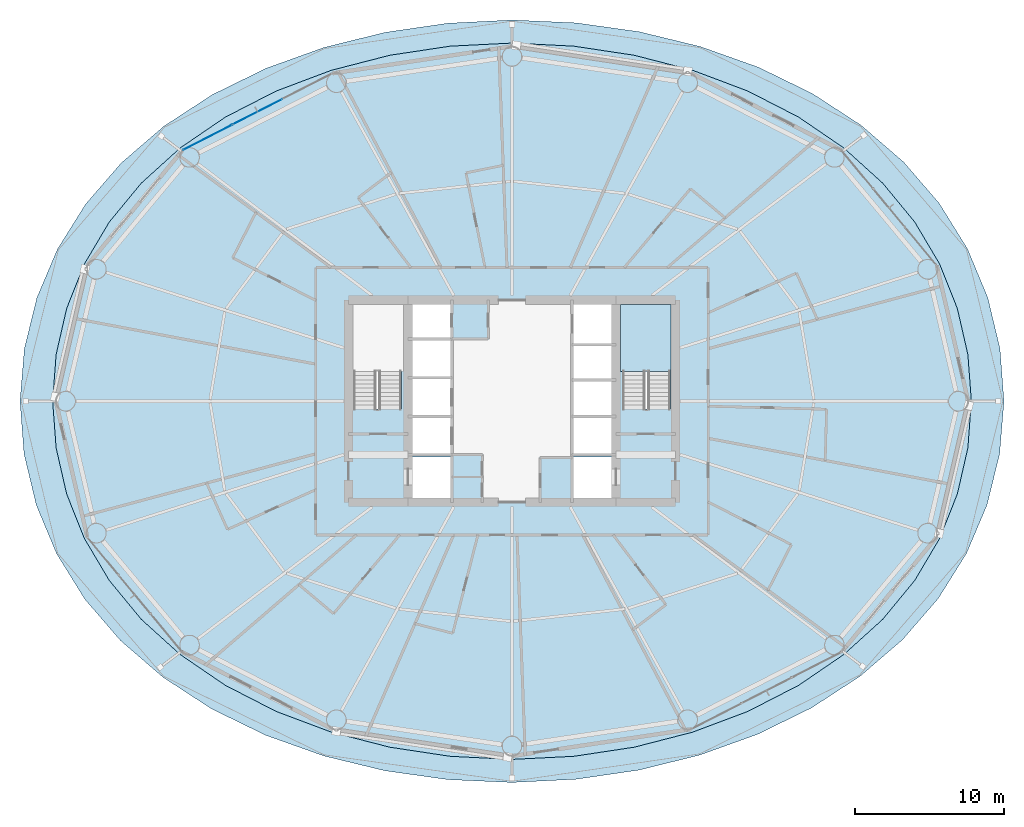
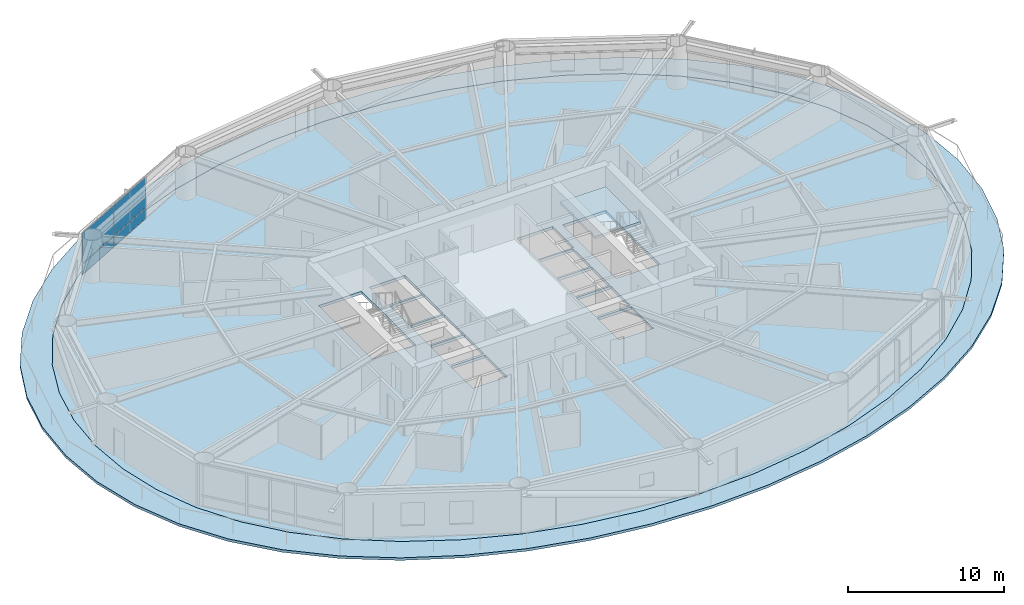
# One storey, part 17 of 26: 4 plates, 3 slabs, 2 elements without a shape of their own.
"""IFC4 building model written with IfcOpenShell, lengths in metres."""

import ifcopenshell
import ifcopenshell.guid

model = None  # the IFC model being written
_history = None  # IfcOwnerHistory: only IFC2X3 demands one
_inside = {}  # id of a spatial element -> (the spatial element, [elements in it])
_under = {}  # id of a project, library or spatial element -> (it, [spatial elements below it])
_declared = {}  # id of a project -> (the project, [libraries it declares])
_typed = {}  # id of a type object -> (the type object, [elements of that type])
_made_of = {}  # id of a material, layer set ... -> (it, [elements and type objects made of it])


def new_model(schema):
    """Start an empty IFC model of exactly this schema.

    Asked for "IFC4X3", IfcOpenShell would pick the latest addendum, in which some entities
    have other attributes; the version numbers below select the first issue.
    IFC2X3 requires an IfcOwnerHistory on every rooted entity: one is made here for all.
    """
    global model, _history
    if schema == "IFC4X3":
        model = ifcopenshell.file(schema_version=(4, 3, 0, 0))
    else:
        model = ifcopenshell.file(schema=schema)
    _inside.clear()
    _under.clear()
    _declared.clear()
    _typed.clear()
    _made_of.clear()
    _history = None
    if model.schema == "IFC2X3":
        org = make("IfcOrganization", Name="unknown")
        user = make(
            "IfcPersonAndOrganization",
            ThePerson=make("IfcPerson", FamilyName="unknown"),
            TheOrganization=org,
        )
        app = make(
            "IfcApplication",
            ApplicationDeveloper=org,
            Version="unknown",
            ApplicationFullName="unknown",
            ApplicationIdentifier="unknown",
        )
        _history = make(
            "IfcOwnerHistory",
            OwningUser=user,
            OwningApplication=app,
            ChangeAction="ADDED",
            CreationDate=0,
        )
    return model


def make(cls, **values):
    """One entity of the class cls with the attributes given. An attribute that is None is left unset."""
    return model.create_entity(
        cls, **{name: value for name, value in values.items() if value is not None}
    )


def rooted(cls, **values):
    """An entity with a GlobalId (a new one), such as an element, a storey or a relation."""
    return make(cls, GlobalId=ifcopenshell.guid.new(), OwnerHistory=_history, **values)


def si_unit(unit_type, name, prefix=None):
    """IfcSIUnit, for example si_unit("LENGTHUNIT", "METRE", prefix="MILLI")."""
    return make("IfcSIUnit", UnitType=unit_type, Prefix=prefix, Name=name)


def assignment(units):
    """IfcUnitAssignment: the units of a project."""
    return None if units is None else make("IfcUnitAssignment", Units=units)


def point(xyz):
    """IfcCartesianPoint."""
    return None if xyz is None else make("IfcCartesianPoint", Coordinates=xyz)


def direction(xyz):
    """IfcDirection."""
    return None if xyz is None else make("IfcDirection", DirectionRatios=xyz)


def frame(location, z_axis=None, x_axis=None):
    """IfcAxis2Placement3D, a coordinate frame: its origin and axes. An axis left out is left unset."""
    return make(
        "IfcAxis2Placement3D",
        Location=point(location),
        Axis=direction(z_axis),
        RefDirection=direction(x_axis),
    )


def frame_2d(location, x_axis=None):
    """IfcAxis2Placement2D, a coordinate frame in the plane: its origin and x axis."""
    return make(
        "IfcAxis2Placement2D", Location=point(location), RefDirection=direction(x_axis)
    )


def origin():
    """The frame at (0, 0, 0) with its axes left unset."""
    return frame((0.0, 0.0, 0.0))


def origin_2d():
    """The frame at (0, 0) in the plane with its x axis left unset."""
    return frame_2d((0.0, 0.0))


def place(relative_to, where):
    """IfcLocalPlacement: puts the frame where relative to a parent placement (None: the world)."""
    return make(
        "IfcLocalPlacement", PlacementRelTo=relative_to, RelativePlacement=where
    )


def context(
    kind, dimensions, precision=None, world=None, true_north=None, identifier=None
):
    """IfcGeometricRepresentationContext, for example the 3D "Model" context."""
    return make(
        "IfcGeometricRepresentationContext",
        ContextIdentifier=identifier,
        ContextType=kind,
        CoordinateSpaceDimension=dimensions,
        Precision=precision,
        WorldCoordinateSystem=world,
        TrueNorth=true_north,
    )


def subcontext(parent, identifier, kind, view, scale=None):
    """IfcGeometricRepresentationSubContext, for example "Body" below "Model"."""
    return make(
        "IfcGeometricRepresentationSubContext",
        ContextIdentifier=identifier,
        ContextType=kind,
        ParentContext=parent,
        TargetScale=scale,
        TargetView=view,
    )


def project(units=None, contexts=None):
    """IfcProject with its units and contexts."""
    return rooted(
        "IfcProject",
        Name="project",
        RepresentationContexts=contexts,
        UnitsInContext=assignment(units),
    )


def spatial(cls, under=None, at=None, **own):
    """A site, building, storey or space (cls), placed at a placement, below another one or the project."""
    s = rooted(cls, ObjectPlacement=at, **own)
    if under is not None:
        _under.setdefault(under.id(), (under, []))[1].append(s)
    return s


def polyline(points):
    """IfcPolyline through the points."""
    return make("IfcPolyline", Points=[point(p) for p in points])


def profile(cls, at=None, kind="AREA", **sizes):
    """A parametric profile (cls). Its sizes go by their IFC names, for example OverallWidth=200.0."""
    return make(cls, ProfileType=kind, Position=at, **sizes)


def rectangle(**sizes):
    """IfcRectangleProfileDef."""
    return profile("IfcRectangleProfileDef", **sizes)


def outline(outer, holes=None, kind="AREA"):
    """IfcArbitraryClosedProfileDef: a profile drawn as a closed curve; with holes, ...WithVoids."""
    if holes is None:
        return make("IfcArbitraryClosedProfileDef", ProfileType=kind, OuterCurve=outer)
    return make(
        "IfcArbitraryProfileDefWithVoids",
        ProfileType=kind,
        OuterCurve=outer,
        InnerCurves=holes,
    )


def extrude(swept, where, along, depth):
    """IfcExtrudedAreaSolid: the profile swept, set in the frame where, extruded along a direction by depth."""
    return make(
        "IfcExtrudedAreaSolid",
        SweptArea=swept,
        Position=where,
        ExtrudedDirection=direction(along),
        Depth=depth,
    )


def shape(context_of_items, identifier, shape_type, items):
    """IfcShapeRepresentation: the items that make up one representation, for example the "Body"."""
    return make(
        "IfcShapeRepresentation",
        ContextOfItems=context_of_items,
        RepresentationIdentifier=identifier,
        RepresentationType=shape_type,
        Items=items,
    )


def material(Name=None, Category=None):
    """IfcMaterial."""
    return make("IfcMaterial", Name=Name, Category=Category)


def layer(
    of_material, thickness, ventilated=None, Name=None, Category=None, Priority=None
):
    """IfcMaterialLayer: one layer of a wall or slab, of a material (None: an air gap)."""
    return make(
        "IfcMaterialLayer",
        Material=of_material,
        LayerThickness=thickness,
        IsVentilated=ventilated,
        Name=Name,
        Category=Category,
        Priority=Priority,
    )


def layer_set(layers, Name=None):
    """IfcMaterialLayerSet."""
    return make("IfcMaterialLayerSet", MaterialLayers=layers, LayerSetName=Name)


def made_of(thing, what):
    """Note that an element or type object is made of a material, layer set ...; save() writes the relation."""
    if what is not None:
        _made_of.setdefault(what.id(), (what, []))[1].append(thing)
    return thing


def type_object(cls, material=None, **own):
    """A type object (cls), such as IfcWallType, which elements share."""
    return made_of(rooted(cls, **own), material)


def element(
    cls,
    number,
    at=None,
    inside=None,
    cuts=None,
    type_object=None,
    material=None,
    context=None,
    identifier="Body",
    shape_type=None,
    held_by="IfcProductDefinitionShape",
    body=None,
    shapes=None,
    **own,
):
    """One element of the class cls, such as IfcWall. Its Tag is "e" and its number.

    at: its placement. inside: the storey or other place that contains it. cuts: it is an
    opening in that element (IfcRelVoidsElement). A single representation is given by context,
    identifier, shape_type and body (its items); several are given by shapes. held_by: the class
    of the entity that holds the representations. save() writes the other relations.
    """
    e = rooted(cls, Tag="e%d" % number, ObjectPlacement=at, **own)
    if body is not None:
        shapes = [shape(context, identifier, shape_type, body)]
    if shapes is not None:
        e.Representation = make(held_by, Representations=shapes)
    if inside is not None:
        _inside.setdefault(inside.id(), (inside, []))[1].append(e)
    if cuts is not None:
        rooted(
            "IfcRelVoidsElement", RelatingBuildingElement=cuts, RelatedOpeningElement=e
        )
    if type_object is not None:
        _typed.setdefault(type_object.id(), (type_object, []))[1].append(e)
    return made_of(e, material)


def aggregate(whole, parts):
    """IfcRelAggregates: a whole, such as a stair, and the parts it consists of."""
    return rooted("IfcRelAggregates", RelatingObject=whole, RelatedObjects=parts)


def save(model, path):
    """Write the relations noted so far, then the file.

    IfcRelAggregates (storeys below a building ...), IfcRelContainedInSpatialStructure (elements
    in a storey), IfcRelDefinesByType, IfcRelAssociatesMaterial and IfcRelDeclares: one each for
    every whole, place, type object, material and project.
    """
    for whole, parts in _under.values():
        aggregate(whole, parts)
    for where, things in _inside.values():
        rooted(
            "IfcRelContainedInSpatialStructure",
            RelatedElements=things,
            RelatingStructure=where,
        )
    for kind, things in _typed.values():
        rooted("IfcRelDefinesByType", RelatedObjects=things, RelatingType=kind)
    for what, things in _made_of.values():
        rooted("IfcRelAssociatesMaterial", RelatedObjects=things, RelatingMaterial=what)
    for by, libraries in _declared.values():
        rooted("IfcRelDeclares", RelatingContext=by, RelatedDefinitions=libraries)
    model.write(path)


model = new_model("IFC4")

# Units and contexts
model_context = context("Model", 3, precision=1e-05, world=origin(), true_north=direction((0.0, 1.0)))
body_context = subcontext(model_context, "Body", "Model", "MODEL_VIEW")
ifc_project = project(units=[si_unit("LENGTHUNIT", "METRE"), si_unit("AREAUNIT", "SQUARE_METRE"), si_unit("VOLUMEUNIT", "CUBIC_METRE"), si_unit("PLANEANGLEUNIT", "RADIAN"), si_unit("MASSUNIT", "GRAM", prefix="KILO")], contexts=[model_context])

# Site, building, storey
site_placement = place(None, origin())
site = spatial("IfcSite", under=ifc_project, at=site_placement, CompositionType="ELEMENT")
building_placement = place(site_placement, origin())
building = spatial("IfcBuilding", under=site, at=building_placement, Name="Sarneth Arch Tower", CompositionType="ELEMENT")
storey_placement = place(building_placement, frame((0.0, 0.0, 42.60009765625)))
storey = spatial("IfcBuildingStorey", under=building, at=storey_placement, Name="L09", CompositionType="ELEMENT", Elevation=42.60009765625)

# Curtain wall, plates
ifc_material_1 = material(Name="Anodised aluminium Type AA25 and solar-control low-e laminated IGU", Category="aluminium")
ifc_layer_1 = layer(ifc_material_1, 0.159912109375)
ifc_layer_set_1 = layer_set([ifc_layer_1], Name="Anodised aluminium Type AA25 and solar-control low-e laminated IGU")
curtain_wall_type = type_object("IfcCurtainWallType", Name="CW-HOTEL-LOW", PredefinedType="NOTDEFINED", material=ifc_layer_set_1)
curtain_wall_placement = place(storey_placement, origin())
curtain_wall = element("IfcCurtainWall", 1, at=curtain_wall_placement, inside=storey, type_object=curtain_wall_type, Name="L09 Unitised curtain wall facet 06", PredefinedType="NOTDEFINED")
ifc_material_2 = material(Name="Solar-control low-e laminated IGU", Category="glass")
ifc_layer_2 = layer(ifc_material_2, 0.028076171875)
ifc_layer_set_2 = layer_set([ifc_layer_2], Name="Solar-control low-e laminated IGU")
plate_type = type_object("IfcPlateType", Name="CW-PANEL", PredefinedType="CURTAIN_PANEL", material=ifc_layer_set_2)
plate_1_placement = place(storey_placement, frame((30.8740234375, 61.473876953125, 0.059814453125), z_axis=(0.0, 0.0, 1.0), x_axis=(-0.889854100456, -0.456245197127, 0.0)))
plate_1 = element("IfcPlate", 2, at=plate_1_placement, type_object=plate_type, Name="Curtain wall glazed vision pane CW-L09-F06/P01-00", PredefinedType="CURTAIN_PANEL", context=body_context, shape_type="SweptSolid", body=[
    extrude(rectangle(XDim=3.721923828125, YDim=0.028076171875, at=origin_2d()), origin(), (0.0, 0.0, 1.0), 0.81005859375),
])
plate_2_placement = place(storey_placement, frame((30.8740234375, 61.473876953125, 0.93017578125), z_axis=(0.0, 0.0, 1.0), x_axis=(-0.889854100456, -0.456245197127, 0.0)))
plate_2 = element("IfcPlate", 3, at=plate_2_placement, type_object=plate_type, Name="Curtain wall glazed vision pane CW-L09-F06/P01-01", PredefinedType="CURTAIN_PANEL", context=body_context, shape_type="SweptSolid", body=[
    extrude(rectangle(XDim=3.721923828125, YDim=0.028076171875, at=origin_2d()), origin(), (0.0, 0.0, 1.0), 2.389892578125),
])
plate_3_placement = place(storey_placement, frame((27.52197265625, 59.75537109375, 0.059814453125), z_axis=(0.0, 0.0, 1.0), x_axis=(-0.889854100456, -0.456245197127, 0.0)))
plate_3 = element("IfcPlate", 4, at=plate_3_placement, type_object=plate_type, Name="Curtain wall glazed vision pane CW-L09-F06/P02-00", PredefinedType="CURTAIN_PANEL", context=body_context, shape_type="SweptSolid", body=[
    extrude(rectangle(XDim=3.69189453125, YDim=0.028076171875, at=origin_2d()), origin(), (0.0, 0.0, 1.0), 0.81005859375),
])
plate_4_placement = place(storey_placement, frame((27.52197265625, 59.75537109375, 0.93017578125), z_axis=(0.0, 0.0, 1.0), x_axis=(-0.889854100456, -0.456245197127, 0.0)))
plate_4 = element("IfcPlate", 5, at=plate_4_placement, type_object=plate_type, Name="Curtain wall glazed vision pane CW-L09-F06/P02-01", PredefinedType="CURTAIN_PANEL", context=body_context, shape_type="SweptSolid", body=[
    extrude(rectangle(XDim=3.69189453125, YDim=0.028076171875, at=origin_2d()), origin(), (0.0, 0.0, 1.0), 2.389892578125),
])
aggregate(curtain_wall, [plate_1, plate_2, plate_3, plate_4])

# Slab
ifc_material_3 = material(Name="Concrete C50/60", Category="concrete")
ifc_layer_3 = layer(ifc_material_3, 0.199951171875)
ifc_layer_set_3 = layer_set([ifc_layer_3], Name="Concrete C50/60")
slab_type_1 = type_object("IfcSlabType", Name="SLAB-BALC-200", PredefinedType="FLOOR", material=ifc_layer_set_3)
slab_1_placement = place(storey_placement, frame((0.0, 0.0, -0.2001953125)))
element("IfcSlab", 6, at=slab_1_placement, inside=storey, type_object=slab_type_1, Name="L09 Helical balcony band slab", PredefinedType="FLOOR", context=body_context, shape_type="SweptSolid", body=[
    extrude(outline(polyline([(81.1064453125, 42.0), (80.83837890625, 45.531982421875), (80.013916015625, 48.97900390625), (78.64404296875, 52.2626953125), (76.746826171875, 55.320068359375), (74.34765625, 58.103271484375), (71.483154296875, 60.57568359375), (68.2041015625, 62.7080078125), (64.573974609375, 64.477783203125), (60.664794921875, 65.867919921875), (56.551513671875, 66.865234375), (52.30712890625, 67.4619140625), (48.0, 67.653076171875), (43.695068359375, 67.4384765625), (39.45751953125, 66.821044921875), (35.3544921875, 65.806884765625), (31.45751953125, 64.406005859375), (27.839599609375, 62.63232421875), (24.571044921875, 60.503173828125), (21.71337890625, 58.040771484375), (19.315185546875, 55.272216796875), (17.411865234375, 52.2314453125), (16.028564453125, 48.963623046875), (15.1845703125, 45.52783203125), (14.8935546875, 42.0), (15.16162109375, 38.468017578125), (15.986083984375, 35.02099609375), (17.35595703125, 31.7373046875), (19.253173828125, 28.679931640625), (21.65234375, 25.896728515625), (24.516845703125, 23.42431640625), (27.7958984375, 21.2919921875), (31.426025390625, 19.522216796875), (35.335205078125, 18.132080078125), (39.448486328125, 17.134765625), (43.69287109375, 16.5380859375), (48.0, 16.346923828125), (52.304931640625, 16.5615234375), (56.54248046875, 17.178955078125), (60.6455078125, 18.193115234375), (64.54248046875, 19.593994140625), (68.160400390625, 21.36767578125), (71.428955078125, 23.496826171875), (74.28662109375, 25.959228515625), (76.684814453125, 28.727783203125), (78.588134765625, 31.7685546875), (79.971435546875, 35.036376953125), (80.8154296875, 38.47216796875), (81.1064453125, 42.0)]), holes=[polyline([(78.90966796875, 42.0), (78.675048828125, 45.145751953125), (77.9677734375, 48.237548828125), (76.780029296875, 51.22265625), (75.10595703125, 54.050048828125), (72.94873046875, 56.671142578125), (70.32861328125, 59.041259765625), (67.2841796875, 61.119873046875), (63.8720703125, 62.87109375), (60.162109375, 64.265380859375), (56.2294921875, 65.27880859375), (52.150634765625, 65.893798828125), (48.0, 66.10009765625), (43.849365234375, 65.893798828125), (39.7705078125, 65.27880859375), (35.837890625, 64.265380859375), (32.1279296875, 62.87109375), (28.7158203125, 61.119873046875), (25.67138671875, 59.041259765625), (23.05126953125, 56.671142578125), (20.89404296875, 54.050048828125), (19.219970703125, 51.22265625), (18.0322265625, 48.237548828125), (17.324951171875, 45.145751953125), (17.09033203125, 42.0), (17.324951171875, 38.854248046875), (18.0322265625, 35.762451171875), (19.219970703125, 32.77734375), (20.89404296875, 29.949951171875), (23.05126953125, 27.328857421875), (25.67138671875, 24.958740234375), (28.7158203125, 22.880126953125), (32.1279296875, 21.12890625), (35.837890625, 19.734619140625), (39.7705078125, 18.72119140625), (43.849365234375, 18.106201171875), (48.0, 17.89990234375), (52.150634765625, 18.106201171875), (56.2294921875, 18.72119140625), (60.162109375, 19.734619140625), (63.8720703125, 21.12890625), (67.2841796875, 22.880126953125), (70.32861328125, 24.958740234375), (72.94873046875, 27.328857421875), (75.10595703125, 29.949951171875), (76.780029296875, 32.77734375), (77.9677734375, 35.762451171875), (78.675048828125, 38.854248046875), (78.90966796875, 42.0)])]), origin(), (0.0, 0.0, 1.0), 0.2001953125),
])

# Stair, slab
ifc_material_4 = material(Name="Concrete C50/60", Category="concrete")
stair_type = type_object("IfcStairType", Name="STAIR-CORE-RC", PredefinedType="HALF_TURN_STAIR", material=ifc_material_4)
stair_placement = place(storey_placement, origin())
stair = element("IfcStair", 7, at=stair_placement, inside=storey, type_object=stair_type, Name="L09 Core Exit Stair 2", PredefinedType="HALF_TURN_STAIR")
ifc_material_5 = material(Name="Concrete C50/60", Category="concrete")
ifc_layer_4 = layer(ifc_material_5, 0.199951171875)
ifc_layer_set_4 = layer_set([ifc_layer_4], Name="Concrete C50/60")
slab_type_2 = type_object("IfcSlabType", Name="SLAB-LANDING-200", PredefinedType="LANDING", material=ifc_layer_set_4)
slab_2_placement = place(storey_placement, frame((0.0, 0.0, 1.599853515625)))
slab_2 = element("IfcSlab", 8, at=slab_2_placement, type_object=slab_type_2, Name="ST-2 landing 1", PredefinedType="LANDING", context=body_context, shape_type="SweptSolid", body=[
    extrude(outline(polyline([(55.300048828125, 43.985107421875), (58.699951171875, 43.985107421875), (58.699951171875, 48.5), (55.300048828125, 48.5), (55.300048828125, 43.985107421875)])), origin(), (0.0, 0.0, 1.0), 0.199951171875),
])
aggregate(stair, [slab_2])

# Slab
ifc_material_6 = material(Name="Concrete C50/60", Category="concrete")
ifc_layer_5 = layer(ifc_material_6, 0.219970703125)
ifc_layer_set_5 = layer_set([ifc_layer_5], Name="Concrete C50/60")
slab_type_3 = type_object("IfcSlabType", Name="SLAB-TOWER-220", PredefinedType="FLOOR", material=ifc_layer_set_5)
slab_3_placement = place(storey_placement, frame((0.0, 0.0, -0.22021484375)))
element("IfcSlab", 9, at=slab_3_placement, inside=storey, type_object=slab_type_3, Name="L09 Elliptical floor slab", PredefinedType="FLOOR", context=body_context, shape_type="SweptSolid", body=[
    extrude(outline(polyline([(78.90966796875, 42.0), (78.675048828125, 45.145751953125), (77.9677734375, 48.237548828125), (76.780029296875, 51.22265625), (75.10595703125, 54.050048828125), (72.94873046875, 56.671142578125), (70.32861328125, 59.041259765625), (67.2841796875, 61.119873046875), (63.8720703125, 62.87109375), (60.162109375, 64.265380859375), (56.2294921875, 65.27880859375), (52.150634765625, 65.893798828125), (48.0, 66.10009765625), (43.849365234375, 65.893798828125), (39.7705078125, 65.27880859375), (35.837890625, 64.265380859375), (32.1279296875, 62.87109375), (28.7158203125, 61.119873046875), (25.67138671875, 59.041259765625), (23.05126953125, 56.671142578125), (20.89404296875, 54.050048828125), (19.219970703125, 51.22265625), (18.0322265625, 48.237548828125), (17.324951171875, 45.145751953125), (17.09033203125, 42.0), (17.324951171875, 38.854248046875), (18.0322265625, 35.762451171875), (19.219970703125, 32.77734375), (20.89404296875, 29.949951171875), (23.05126953125, 27.328857421875), (25.67138671875, 24.958740234375), (28.7158203125, 22.880126953125), (32.1279296875, 21.12890625), (35.837890625, 19.734619140625), (39.7705078125, 18.72119140625), (43.849365234375, 18.106201171875), (48.0, 17.89990234375), (52.150634765625, 18.106201171875), (56.2294921875, 18.72119140625), (60.162109375, 19.734619140625), (63.8720703125, 21.12890625), (67.2841796875, 22.880126953125), (70.32861328125, 24.958740234375), (72.94873046875, 27.328857421875), (75.10595703125, 29.949951171875), (76.780029296875, 32.77734375), (77.9677734375, 35.762451171875), (78.675048828125, 38.854248046875), (78.90966796875, 42.0)]), holes=[polyline([(37.35009765625, 41.489990234375), (40.550048828125, 41.489990234375), (40.550048828125, 48.39990234375), (37.35009765625, 48.39990234375), (37.35009765625, 41.489990234375)]), polyline([(55.449951171875, 41.489990234375), (58.64990234375, 41.489990234375), (58.64990234375, 48.39990234375), (55.449951171875, 48.39990234375), (55.449951171875, 41.489990234375)]), polyline([(41.199951171875, 46.25), (43.85009765625, 46.25), (43.85009765625, 48.550048828125), (41.199951171875, 48.550048828125), (41.199951171875, 46.25)]), polyline([(41.300048828125, 35.449951171875), (43.85009765625, 35.449951171875), (43.85009765625, 38.25), (41.300048828125, 38.25), (41.300048828125, 35.449951171875)]), polyline([(52.14990234375, 35.449951171875), (54.699951171875, 35.449951171875), (54.699951171875, 38.25), (52.14990234375, 38.25), (52.14990234375, 35.449951171875)]), polyline([(52.14990234375, 45.85009765625), (54.800048828125, 45.85009765625), (54.800048828125, 48.550048828125), (52.14990234375, 48.550048828125), (52.14990234375, 45.85009765625)]), polyline([(41.300048828125, 38.449951171875), (43.85009765625, 38.449951171875), (43.85009765625, 40.89990234375), (41.300048828125, 40.89990234375), (41.300048828125, 38.449951171875)]), polyline([(41.300048828125, 41.050048828125), (43.85009765625, 41.050048828125), (43.85009765625, 43.5), (41.300048828125, 43.5), (41.300048828125, 41.050048828125)]), polyline([(41.300048828125, 43.64990234375), (43.85009765625, 43.64990234375), (43.85009765625, 46.10009765625), (41.300048828125, 46.10009765625), (41.300048828125, 43.64990234375)]), polyline([(52.14990234375, 38.449951171875), (54.699951171875, 38.449951171875), (54.699951171875, 40.89990234375), (52.14990234375, 40.89990234375), (52.14990234375, 38.449951171875)]), polyline([(52.14990234375, 41.050048828125), (54.699951171875, 41.050048828125), (54.699951171875, 43.35009765625), (52.14990234375, 43.35009765625), (52.14990234375, 41.050048828125)]), polyline([(52.14990234375, 43.5), (54.699951171875, 43.5), (54.699951171875, 45.75), (52.14990234375, 45.75), (52.14990234375, 43.5)])]), origin(), (0.0, 0.0, 1.0), 0.22021484375),
])

save(model, "model.ifc")
